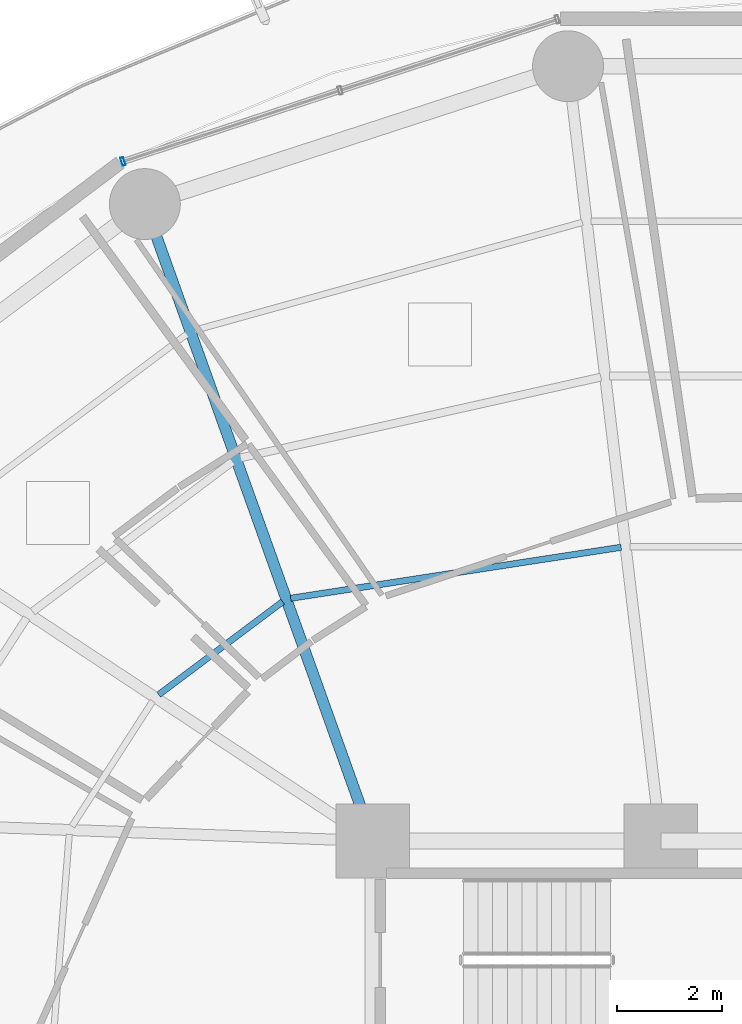
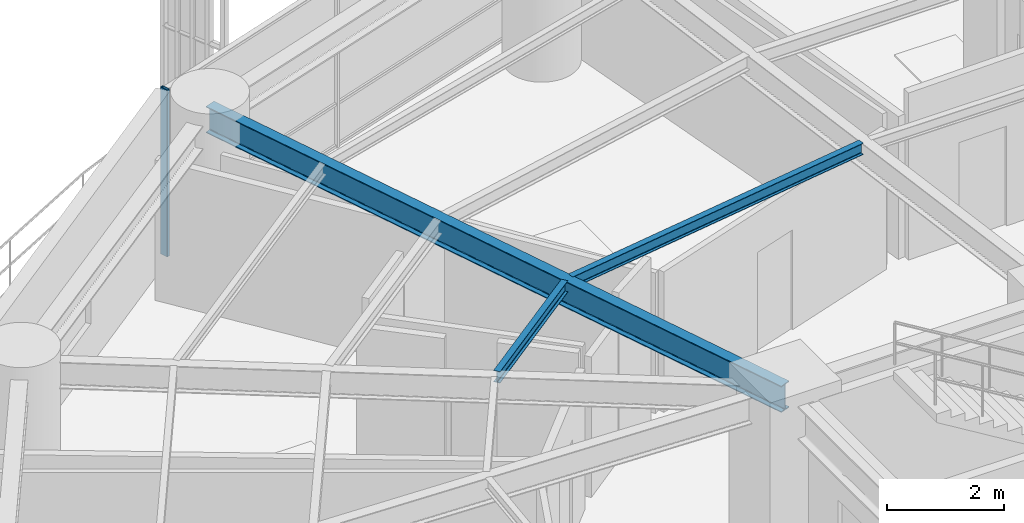
# One storey, part 19 of 35: 3 beams, 1 member, 1 element without a shape of its own.
"""IFC4 building model written with IfcOpenShell, lengths in metres."""

from ifc_helpers import new_model, si_unit, direction, frame, origin, origin_2d, place, context, subcontext, project, spatial, hollow_rectangle, i_section, extrude, material, layer, layer_set, material_profile, profile_set, type_object, element, aggregate, save


model = new_model("IFC4")

# Units and contexts
model_context = context("Model", 3, precision=1e-05, world=origin(), true_north=direction((0.0, 1.0)))
body_context = subcontext(model_context, "Body", "Model", "MODEL_VIEW")
ifc_project = project(units=[si_unit("LENGTHUNIT", "METRE"), si_unit("AREAUNIT", "SQUARE_METRE"), si_unit("VOLUMEUNIT", "CUBIC_METRE"), si_unit("PLANEANGLEUNIT", "RADIAN"), si_unit("MASSUNIT", "GRAM", prefix="KILO")], contexts=[model_context])

# Site, building, storey
site_placement = place(None, origin())
site = spatial("IfcSite", under=ifc_project, at=site_placement, CompositionType="ELEMENT")
building_placement = place(site_placement, origin())
building = spatial("IfcBuilding", under=site, at=building_placement, Name="Kelanora Arch Commons", CompositionType="ELEMENT")
storey_placement = place(building_placement, frame((0.0, 0.0, 87.60009765625)))
storey = spatial("IfcBuildingStorey", under=building, at=storey_placement, Name="L22", CompositionType="ELEMENT", Elevation=87.60009765625)

# Beams
ifc_material_1 = material(Name="Steel S355", Category="steel")
ifc_material_profile_1 = material_profile(ifc_material_1, i_section(OverallWidth=0.1201171875, OverallDepth=0.239990234375, WebThickness=0.006103515625, FlangeThickness=0.009765625, FilletRadius=0.014892578125, at=origin_2d()), Name="IPE240")
ifc_profile_set_1 = profile_set([ifc_material_profile_1], Name="Steel S355")
beam_type_1 = type_object("IfcBeamType", Name="BM-JST-02", PredefinedType="JOIST", material=ifc_profile_set_1)
beam_1_placement = place(storey_placement, frame((70.72509765625, 70.590087890625, 3.369873046875), z_axis=(-0.988295745497, -0.152550055496, 0.0), x_axis=(0.152550055496, -0.988295745497, 0.0)))
element("IfcBeam", 1, at=beam_1_placement, inside=storey, type_object=beam_type_1, Name="Secondary Chord Joist BJA-10 L22", PredefinedType="JOIST", context=body_context, shape_type="SweptSolid", body=[
    extrude(i_section(OverallWidth=0.1201171875, OverallDepth=0.239990234375, WebThickness=0.006103515625, FlangeThickness=0.009765625, FilletRadius=0.014892578125, at=origin_2d()), origin(), (0.0, 0.0, 1.0), 6.36474609375),
])
beam_2_placement = place(storey_placement, frame((64.28271484375, 69.555419921875, 3.369873046875), z_axis=(-0.799692034361, -0.600410401458, 0.0), x_axis=(0.600410401458, -0.799692034361, 0.0)))
element("IfcBeam", 2, at=beam_2_placement, inside=storey, type_object=beam_type_1, Name="Secondary Chord Joist BJA-12 L22", PredefinedType="JOIST", context=body_context, shape_type="SweptSolid", body=[
    extrude(i_section(OverallWidth=0.1201171875, OverallDepth=0.239990234375, WebThickness=0.006103515625, FlangeThickness=0.009765625, FilletRadius=0.014892578125, at=origin_2d()), origin(), (0.0, 0.0, 1.0), 2.949951171875),
])
ifc_material_profile_2 = material_profile(ifc_material_1, i_section(OverallWidth=0.2099609375, OverallDepth=0.550048828125, WebThickness=0.010986328125, FlangeThickness=0.01708984375, FilletRadius=0.02392578125, at=origin_2d()), Name="IPE550")
ifc_profile_set_2 = profile_set([ifc_material_profile_2], Name="Steel S355")
beam_type_2 = type_object("IfcBeamType", Name="BM-RAD-Z2", PredefinedType="BEAM", material=ifc_profile_set_2)
beam_3_placement = place(storey_placement, frame((66.0, 65.0, 3.21484375), z_axis=(-0.337084640008, 0.941474346687, 0.0), x_axis=(-0.941474346687, -0.337084640008, 0.0)))
element("IfcBeam", 3, at=beam_3_placement, inside=storey, type_object=beam_type_2, Name="Radial Floor Girder BR-12 L22", PredefinedType="BEAM", context=body_context, shape_type="SweptSolid", body=[
    extrude(i_section(OverallWidth=0.2099609375, OverallDepth=0.550048828125, WebThickness=0.010986328125, FlangeThickness=0.01708984375, FilletRadius=0.02392578125, at=origin_2d()), origin(), (0.0, 0.0, 1.0), 12.875244140625),
])

# Curtain wall, member
ifc_material_2 = material(Name="Terracotta ceramic-fritted low-E glass and aluminium", Category="masonry")
ifc_layer = layer(ifc_material_2, 0.159912109375)
ifc_layer_set = layer_set([ifc_layer], Name="Terracotta ceramic-fritted low-E glass and aluminium")
curtain_wall_type = type_object("IfcCurtainWallType", Name="CW-SYS-01", PredefinedType="NOTDEFINED", material=ifc_layer_set)
curtain_wall_placement = place(storey_placement, origin())
curtain_wall = element("IfcCurtainWall", 4, at=curtain_wall_placement, inside=storey, type_object=curtain_wall_type, Name="Unitised Curtain Wall L22-B05", PredefinedType="NOTDEFINED")
ifc_material_3 = material(Name="Powder-coated aluminium terracotta", Category="masonry")
ifc_material_profile_3 = material_profile(ifc_material_3, hollow_rectangle(XDim=0.159912109375, YDim=0.06005859375, WallThickness=0.0048828125, InnerFilletRadius=0.0048828125, OuterFilletRadius=0.010009765625, at=origin_2d()), Name="CWM160x60")
ifc_profile_set_3 = profile_set([ifc_material_profile_3], Name="Powder-coated aluminium terracotta")
member_type = type_object("IfcMemberType", Name="CWM-STD", PredefinedType="MULLION", material=ifc_profile_set_3)
member_placement = place(storey_placement, frame((61.242919921875, 77.9326171875, 0.0), z_axis=(0.0, 0.0, 1.0), x_axis=(0.31080470294, -0.950473795867, 0.0)))
member = element("IfcMember", 5, at=member_placement, type_object=member_type, Name="CW-01 mullion 3", PredefinedType="MULLION", context=body_context, shape_type="SweptSolid", body=[
    extrude(hollow_rectangle(XDim=0.159912109375, YDim=0.06005859375, WallThickness=0.0048828125, InnerFilletRadius=0.0048828125, OuterFilletRadius=0.010009765625, at=origin_2d()), origin(), (0.0, 0.0, 1.0), 3.474853515625),
])
aggregate(curtain_wall, [member])

save(model, "model.ifc")
